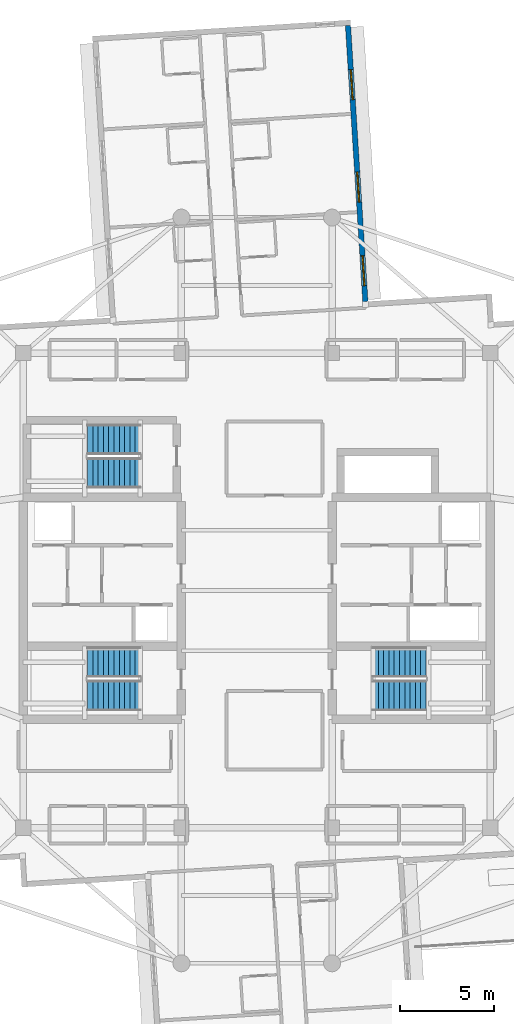
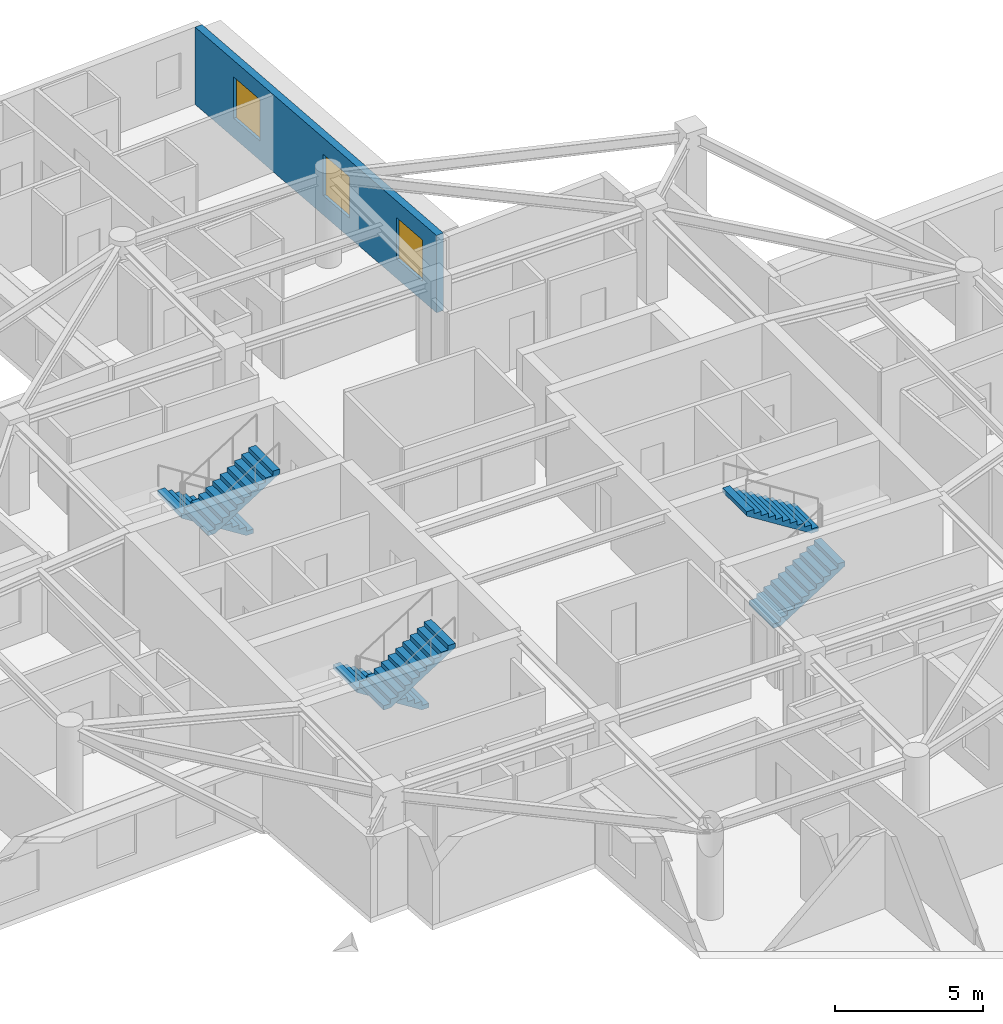
# One storey, part 9 of 13: 6 stair flights, 3 windows, 1 wall, 3 openings, 3 elements without a shape of their own.
"""IFC4 building model written with IfcOpenShell, lengths in metres."""

from ifc_helpers import new_model, si_unit, direction, frame, frame_2d, origin, place, context, subcontext, project, spatial, polyline, rectangle, outline, extrude, material, layer, layer_set, type_object, element, fill, aggregate, save


model = new_model("IFC4")

# Units and contexts
model_context = context("Model", 3, precision=1e-05, world=origin(), true_north=direction((0.0, 1.0)))
body_context = subcontext(model_context, "Body", "Model", "MODEL_VIEW")
ifc_project = project(units=[si_unit("LENGTHUNIT", "METRE"), si_unit("AREAUNIT", "SQUARE_METRE"), si_unit("VOLUMEUNIT", "CUBIC_METRE"), si_unit("PLANEANGLEUNIT", "RADIAN"), si_unit("MASSUNIT", "GRAM", prefix="KILO")], contexts=[model_context])

# Site, building, storey
site_placement = place(None, origin())
site = spatial("IfcSite", under=ifc_project, at=site_placement, CompositionType="ELEMENT")
building_placement = place(site_placement, origin())
building = spatial("IfcBuilding", under=site, at=building_placement, Name="Qingluan Cross Belvedere", CompositionType="ELEMENT")
storey_placement = place(building_placement, frame((0.0, 0.0, 281.10009765625)))
storey = spatial("IfcBuildingStorey", under=building, at=storey_placement, Name="L70", CompositionType="ELEMENT", Elevation=281.10009765625)

# Wall, openings, windows
ifc_material_1 = material(Name="Precast concrete C45", Category="concrete")
ifc_layer_1 = layer(ifc_material_1, 0.280029296875, Name="PrecastFacadeWall_280")
ifc_layer_set_1 = layer_set([ifc_layer_1], Name="Precast concrete C45")
wall_type = type_object("IfcWallType", Name="PrecastFacadeWall_280", PredefinedType="STANDARD", material=ifc_layer_set_1)
wall_placement = place(storey_placement, frame((5.7685546875, 15.33251953125, 0.0), z_axis=(0.0, 0.0, 1.0), x_axis=(-0.062779465852, 0.998027423805, 0.0)))
wall = element("IfcWall", 1, at=wall_placement, inside=storey, type_object=wall_type, Name="Facade wall L70-NA", PredefinedType="STANDARD", context=body_context, shape_type="SweptSolid", body=[
    extrude(rectangle(XDim=14.699951171875, YDim=0.280029296875, at=frame_2d((7.35009765625, 0.0))), origin(), (0.0, 0.0, 1.0), 3.179931640625),
])
opening_1_placement = place(wall_placement, frame((0.85009765625, 0.0, 0.800048828125)))
opening_1 = element("IfcOpeningElement", 2, at=opening_1_placement, cuts=wall, Name="Opening W-04", PredefinedType="OPENING", context=body_context, shape_type="SweptSolid", body=[
    extrude(rectangle(XDim=1.60009765625, YDim=1.699951171875, at=frame_2d((0.800048828125, 0.85009765625))), frame((0.0, 0.14990234375, 0.0), z_axis=(0.0, -1.0, 0.0), x_axis=(1.0, 0.0, 0.0)), (0.0, 0.0, 1.0), 0.300048828125),
])
opening_2_placement = place(wall_placement, frame((5.300048828125, 0.0, 0.800048828125)))
opening_2 = element("IfcOpeningElement", 3, at=opening_2_placement, cuts=wall, Name="Opening W-04", PredefinedType="OPENING", context=body_context, shape_type="SweptSolid", body=[
    extrude(rectangle(XDim=1.60009765625, YDim=1.699951171875, at=frame_2d((0.800048828125, 0.85009765625))), frame((0.0, 0.14990234375, 0.0), z_axis=(0.0, -1.0, 0.0), x_axis=(1.0, 0.0, 0.0)), (0.0, 0.0, 1.0), 0.300048828125),
])
opening_3_placement = place(wall_placement, frame((10.75, 0.0, 0.800048828125)))
opening_3 = element("IfcOpeningElement", 4, at=opening_3_placement, cuts=wall, Name="Opening W-04", PredefinedType="OPENING", context=body_context, shape_type="SweptSolid", body=[
    extrude(rectangle(XDim=1.60009765625, YDim=1.699951171875, at=frame_2d((0.800048828125, 0.85009765625))), frame((0.0, 0.14990234375, 0.0), z_axis=(0.0, -1.0, 0.0), x_axis=(1.0, 0.0, 0.0)), (0.0, 0.0, 1.0), 0.300048828125),
])
ifc_material_2 = material(Name="Thermally broken triple Low-E glass in aluminium frame", Category="aluminium")
window_type = type_object("IfcWindowType", Name="SuiteCornerWin_1600x1700", PartitioningType="SINGLE_PANEL", PredefinedType="WINDOW", material=ifc_material_2)
window_1_placement = place(opening_1_placement, origin())
window_1 = element("IfcWindow", 5, at=window_1_placement, inside=storey, type_object=window_type, Name="Ribbon window L70-NA-1", OverallHeight=1.699951171875, OverallWidth=1.60009765625, PartitioningType="SINGLE_PANEL", PredefinedType="WINDOW", context=body_context, shape_type="SweptSolid", body=[
    extrude(rectangle(XDim=1.60009765625, YDim=1.699951171875, at=frame_2d((0.800048828125, 0.85009765625))), frame((0.0, 0.030029296875, 0.0), z_axis=(0.0, -1.0, 0.0), x_axis=(1.0, 0.0, 0.0)), (0.0, 0.0, 1.0), 0.06005859375),
])
fill(opening_1, window_1)
window_2_placement = place(opening_2_placement, origin())
window_2 = element("IfcWindow", 6, at=window_2_placement, inside=storey, type_object=window_type, Name="Ribbon window L70-NA-2", OverallHeight=1.699951171875, OverallWidth=1.60009765625, PartitioningType="SINGLE_PANEL", PredefinedType="WINDOW", context=body_context, shape_type="SweptSolid", body=[
    extrude(rectangle(XDim=1.60009765625, YDim=1.699951171875, at=frame_2d((0.800048828125, 0.85009765625))), frame((0.0, 0.030029296875, 0.0), z_axis=(0.0, -1.0, 0.0), x_axis=(1.0, 0.0, 0.0)), (0.0, 0.0, 1.0), 0.06005859375),
])
fill(opening_2, window_2)
window_3_placement = place(opening_3_placement, origin())
window_3 = element("IfcWindow", 7, at=window_3_placement, inside=storey, type_object=window_type, Name="Ribbon window L70-NA-3", OverallHeight=1.699951171875, OverallWidth=1.60009765625, PartitioningType="SINGLE_PANEL", PredefinedType="WINDOW", context=body_context, shape_type="SweptSolid", body=[
    extrude(rectangle(XDim=1.60009765625, YDim=1.699951171875, at=frame_2d((0.800048828125, 0.85009765625))), frame((0.0, 0.030029296875, 0.0), z_axis=(0.0, -1.0, 0.0), x_axis=(1.0, 0.0, 0.0)), (0.0, 0.0, 1.0), 0.06005859375),
])
fill(opening_3, window_3)

# Stair, stair flights
ifc_material_3 = material(Name="Concrete C40", Category="concrete")
stair_type = type_object("IfcStairType", Name="CoreDoglegStair_1620", PredefinedType="HALF_TURN_STAIR", material=ifc_material_3)
stair_1_placement = place(storey_placement, origin())
stair_1 = element("IfcStair", 8, at=stair_1_placement, inside=storey, type_object=stair_type, Name="L70 ST1", PredefinedType="HALF_TURN_STAIR")
ifc_material_4 = material(Name="Concrete C40", Category="concrete")
ifc_layer_2 = layer(ifc_material_4, 0.179931640625, Name="StairFlight_RC180")
ifc_layer_set_2 = layer_set([ifc_layer_2], Name="Concrete C40")
stair_flight_type = type_object("IfcStairFlightType", Name="StairFlight_RC180", PredefinedType="STRAIGHT", material=ifc_layer_set_2)
stair_flight_1_placement = place(storey_placement, frame((-6.179931640625, -3.81005859375, 0.0), z_axis=(0.0, 0.0, 1.0), x_axis=(-1.0, 0.0, 0.0)))
stair_flight_1 = element("IfcStairFlight", 9, at=stair_flight_1_placement, type_object=stair_flight_type, Name="ST1 flight 1", NumberOfRisers=11, NumberOfTreads=10, PredefinedType="STRAIGHT", RiserHeight=0.177272727, TreadLength=0.28, context=body_context, shape_type="SweptSolid", body=[
    extrude(outline(polyline([(0.0, 0.0), (0.0, 0.17724609375), (0.280029296875, 0.17724609375), (0.280029296875, 0.3544921875), (0.56005859375, 0.3544921875), (0.56005859375, 0.53173828125), (0.840087890625, 0.53173828125), (0.840087890625, 0.708984375), (1.1201171875, 0.708984375), (1.1201171875, 0.886474609375), (1.39990234375, 0.886474609375), (1.39990234375, 1.063720703125), (1.679931640625, 1.063720703125), (1.679931640625, 1.240966796875), (1.9599609375, 1.240966796875), (1.9599609375, 1.418212890625), (2.239990234375, 1.418212890625), (2.239990234375, 1.595458984375), (2.52001953125, 1.595458984375), (2.52001953125, 1.772705078125), (2.800048828125, 1.772705078125), (2.800048828125, 1.949951171875), (2.800048828125, 1.59521484375), (0.2802734375, 0.0), (0.0, 0.0)])), frame((0.0, 0.81005859375, 0.0), z_axis=(0.0, -1.0, 0.0), x_axis=(1.0, 0.0, 0.0)), (0.0, 0.0, 1.0), 1.6201171875),
])
stair_flight_2_placement = place(storey_placement, frame((-8.97998046875, -5.590087890625, 1.949951171875), z_axis=(0.0, 0.0, 1.0), x_axis=(1.0, 0.0, 0.0)))
stair_flight_2 = element("IfcStairFlight", 10, at=stair_flight_2_placement, type_object=stair_flight_type, Name="ST1 flight 2", NumberOfRisers=11, NumberOfTreads=10, PredefinedType="STRAIGHT", RiserHeight=0.177272727, TreadLength=0.28, context=body_context, shape_type="SweptSolid", body=[
    extrude(outline(polyline([(0.0, 0.0), (0.0, 0.17724609375), (0.280029296875, 0.17724609375), (0.280029296875, 0.3544921875), (0.56005859375, 0.3544921875), (0.56005859375, 0.53173828125), (0.840087890625, 0.53173828125), (0.840087890625, 0.708984375), (1.1201171875, 0.708984375), (1.1201171875, 0.886474609375), (1.39990234375, 0.886474609375), (1.39990234375, 1.063720703125), (1.679931640625, 1.063720703125), (1.679931640625, 1.240966796875), (1.9599609375, 1.240966796875), (1.9599609375, 1.418212890625), (2.239990234375, 1.418212890625), (2.239990234375, 1.595458984375), (2.52001953125, 1.595458984375), (2.52001953125, 1.772705078125), (2.800048828125, 1.772705078125), (2.800048828125, 1.949951171875), (2.800048828125, 1.59521484375), (0.2802734375, 0.0), (0.0, 0.0)])), frame((0.0, 0.81005859375, 0.0), z_axis=(0.0, -1.0, 0.0), x_axis=(1.0, 0.0, 0.0)), (0.0, 0.0, 1.0), 1.6201171875),
])
aggregate(stair_1, [stair_flight_1, stair_flight_2])

stair_2_placement = place(storey_placement, origin())
stair_2 = element("IfcStair", 11, at=stair_2_placement, inside=storey, type_object=stair_type, Name="L70 ST2", PredefinedType="HALF_TURN_STAIR")
stair_flight_3_placement = place(storey_placement, frame((6.179931640625, -5.590087890625, 0.0), z_axis=(0.0, 0.0, 1.0), x_axis=(1.0, 0.0, 0.0)))
stair_flight_3 = element("IfcStairFlight", 12, at=stair_flight_3_placement, type_object=stair_flight_type, Name="ST2 flight 1", NumberOfRisers=11, NumberOfTreads=10, PredefinedType="STRAIGHT", RiserHeight=0.177272727, TreadLength=0.28, context=body_context, shape_type="SweptSolid", body=[
    extrude(outline(polyline([(0.0, 0.0), (0.0, 0.17724609375), (0.280029296875, 0.17724609375), (0.280029296875, 0.3544921875), (0.56005859375, 0.3544921875), (0.56005859375, 0.53173828125), (0.840087890625, 0.53173828125), (0.840087890625, 0.708984375), (1.1201171875, 0.708984375), (1.1201171875, 0.886474609375), (1.39990234375, 0.886474609375), (1.39990234375, 1.063720703125), (1.679931640625, 1.063720703125), (1.679931640625, 1.240966796875), (1.9599609375, 1.240966796875), (1.9599609375, 1.418212890625), (2.239990234375, 1.418212890625), (2.239990234375, 1.595458984375), (2.52001953125, 1.595458984375), (2.52001953125, 1.772705078125), (2.800048828125, 1.772705078125), (2.800048828125, 1.949951171875), (2.800048828125, 1.59521484375), (0.2802734375, 0.0), (0.0, 0.0)])), frame((0.0, 0.81005859375, 0.0), z_axis=(0.0, -1.0, 0.0), x_axis=(1.0, 0.0, 0.0)), (0.0, 0.0, 1.0), 1.6201171875),
])
stair_flight_4_placement = place(storey_placement, frame((8.97998046875, -3.81005859375, 1.949951171875), z_axis=(0.0, 0.0, 1.0), x_axis=(-1.0, 0.0, 0.0)))
stair_flight_4 = element("IfcStairFlight", 13, at=stair_flight_4_placement, type_object=stair_flight_type, Name="ST2 flight 2", NumberOfRisers=11, NumberOfTreads=10, PredefinedType="STRAIGHT", RiserHeight=0.177272727, TreadLength=0.28, context=body_context, shape_type="SweptSolid", body=[
    extrude(outline(polyline([(0.0, 0.0), (0.0, 0.17724609375), (0.280029296875, 0.17724609375), (0.280029296875, 0.3544921875), (0.56005859375, 0.3544921875), (0.56005859375, 0.53173828125), (0.840087890625, 0.53173828125), (0.840087890625, 0.708984375), (1.1201171875, 0.708984375), (1.1201171875, 0.886474609375), (1.39990234375, 0.886474609375), (1.39990234375, 1.063720703125), (1.679931640625, 1.063720703125), (1.679931640625, 1.240966796875), (1.9599609375, 1.240966796875), (1.9599609375, 1.418212890625), (2.239990234375, 1.418212890625), (2.239990234375, 1.595458984375), (2.52001953125, 1.595458984375), (2.52001953125, 1.772705078125), (2.800048828125, 1.772705078125), (2.800048828125, 1.949951171875), (2.800048828125, 1.59521484375), (0.2802734375, 0.0), (0.0, 0.0)])), frame((0.0, 0.81005859375, 0.0), z_axis=(0.0, -1.0, 0.0), x_axis=(1.0, 0.0, 0.0)), (0.0, 0.0, 1.0), 1.6201171875),
])
aggregate(stair_2, [stair_flight_3, stair_flight_4])

stair_3_placement = place(storey_placement, origin())
stair_3 = element("IfcStair", 14, at=stair_3_placement, inside=storey, type_object=stair_type, Name="L70 ST3", PredefinedType="HALF_TURN_STAIR")
stair_flight_5_placement = place(storey_placement, frame((-6.179931640625, 8.010009765625, 0.0), z_axis=(0.0, 0.0, 1.0), x_axis=(-1.0, 0.0, 0.0)))
stair_flight_5 = element("IfcStairFlight", 15, at=stair_flight_5_placement, type_object=stair_flight_type, Name="ST3 flight 1", NumberOfRisers=11, NumberOfTreads=10, PredefinedType="STRAIGHT", RiserHeight=0.177272727, TreadLength=0.28, context=body_context, shape_type="SweptSolid", body=[
    extrude(outline(polyline([(0.0, 0.0), (0.0, 0.17724609375), (0.280029296875, 0.17724609375), (0.280029296875, 0.3544921875), (0.56005859375, 0.3544921875), (0.56005859375, 0.53173828125), (0.840087890625, 0.53173828125), (0.840087890625, 0.708984375), (1.1201171875, 0.708984375), (1.1201171875, 0.886474609375), (1.39990234375, 0.886474609375), (1.39990234375, 1.063720703125), (1.679931640625, 1.063720703125), (1.679931640625, 1.240966796875), (1.9599609375, 1.240966796875), (1.9599609375, 1.418212890625), (2.239990234375, 1.418212890625), (2.239990234375, 1.595458984375), (2.52001953125, 1.595458984375), (2.52001953125, 1.772705078125), (2.800048828125, 1.772705078125), (2.800048828125, 1.949951171875), (2.800048828125, 1.59521484375), (0.2802734375, 0.0), (0.0, 0.0)])), frame((0.0, 0.81005859375, 0.0), z_axis=(0.0, -1.0, 0.0), x_axis=(1.0, 0.0, 0.0)), (0.0, 0.0, 1.0), 1.6201171875),
])
stair_flight_6_placement = place(storey_placement, frame((-8.97998046875, 6.22998046875, 1.949951171875), z_axis=(0.0, 0.0, 1.0), x_axis=(1.0, 0.0, 0.0)))
stair_flight_6 = element("IfcStairFlight", 16, at=stair_flight_6_placement, type_object=stair_flight_type, Name="ST3 flight 2", NumberOfRisers=11, NumberOfTreads=10, PredefinedType="STRAIGHT", RiserHeight=0.177272727, TreadLength=0.28, context=body_context, shape_type="SweptSolid", body=[
    extrude(outline(polyline([(0.0, 0.0), (0.0, 0.17724609375), (0.280029296875, 0.17724609375), (0.280029296875, 0.3544921875), (0.56005859375, 0.3544921875), (0.56005859375, 0.53173828125), (0.840087890625, 0.53173828125), (0.840087890625, 0.708984375), (1.1201171875, 0.708984375), (1.1201171875, 0.886474609375), (1.39990234375, 0.886474609375), (1.39990234375, 1.063720703125), (1.679931640625, 1.063720703125), (1.679931640625, 1.240966796875), (1.9599609375, 1.240966796875), (1.9599609375, 1.418212890625), (2.239990234375, 1.418212890625), (2.239990234375, 1.595458984375), (2.52001953125, 1.595458984375), (2.52001953125, 1.772705078125), (2.800048828125, 1.772705078125), (2.800048828125, 1.949951171875), (2.800048828125, 1.59521484375), (0.2802734375, 0.0), (0.0, 0.0)])), frame((0.0, 0.81005859375, 0.0), z_axis=(0.0, -1.0, 0.0), x_axis=(1.0, 0.0, 0.0)), (0.0, 0.0, 1.0), 1.6201171875),
])
aggregate(stair_3, [stair_flight_5, stair_flight_6])

save(model, "model.ifc")
